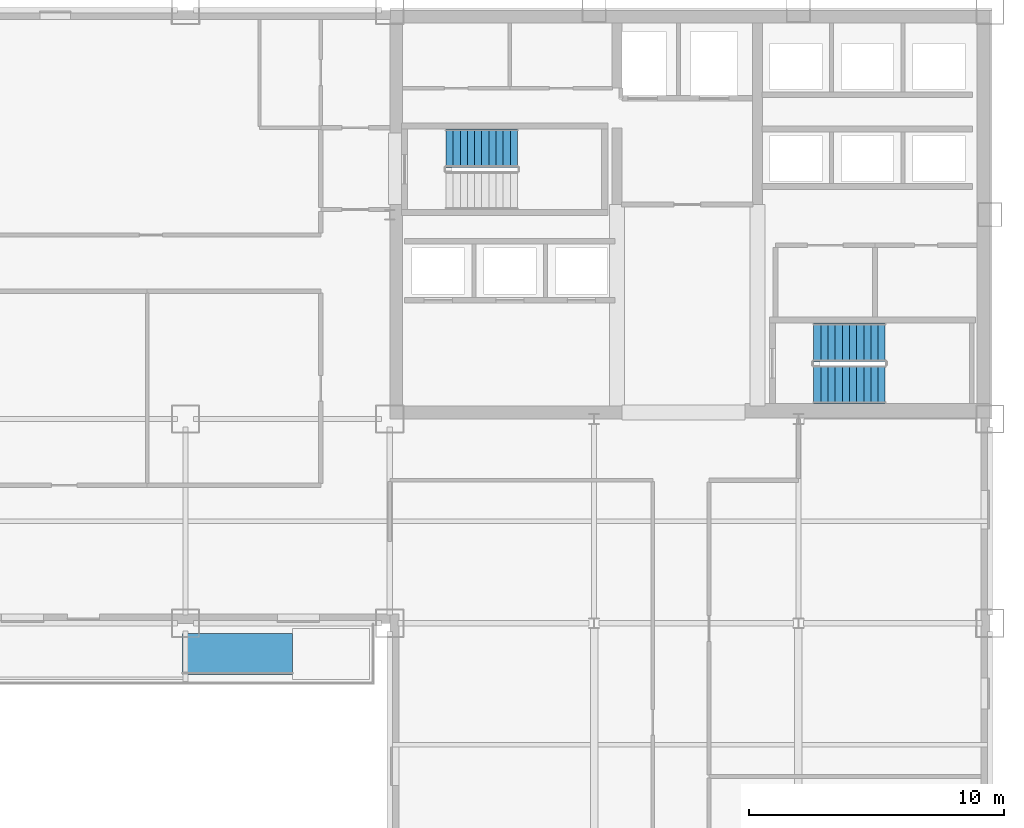
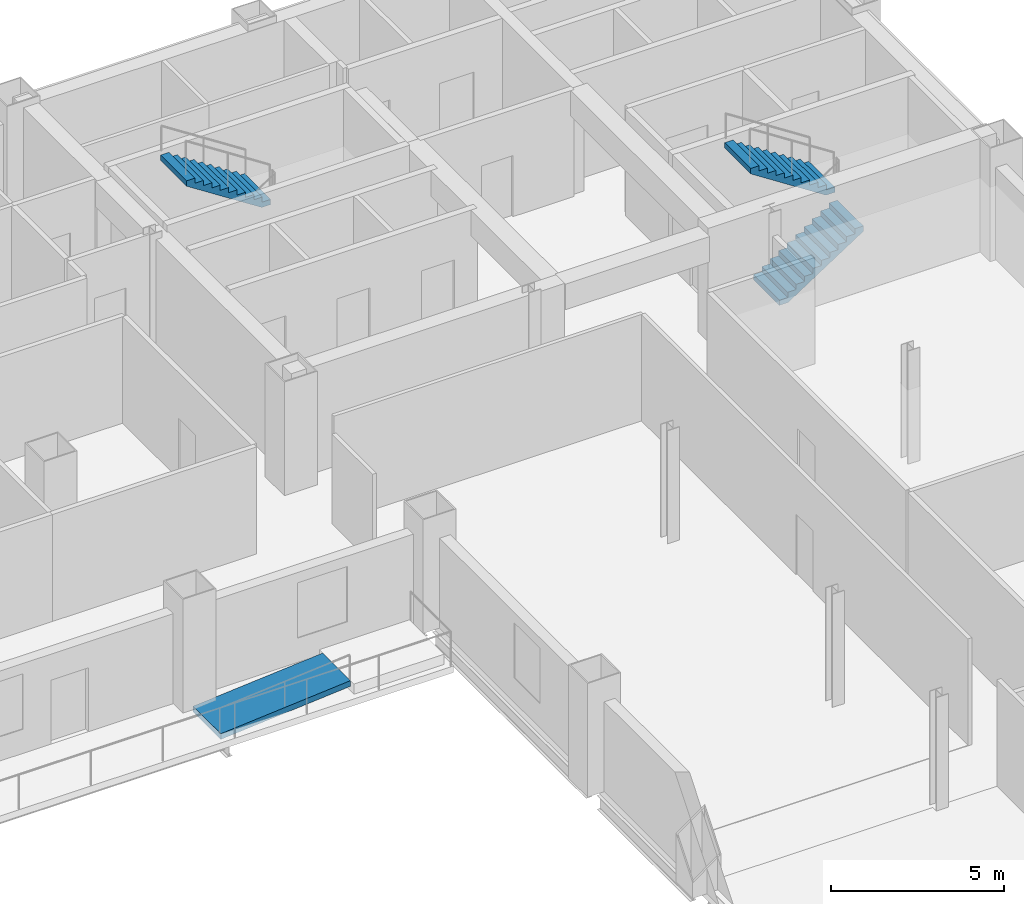
# One storey, part 8 of 10: 3 stair flights, 1 ramp flight, 3 elements without a shape of their own.
"""IFC4 building model written with IfcOpenShell, lengths in metres."""

from ifc_helpers import new_model, si_unit, direction, frame, origin, place, context, subcontext, project, spatial, polyline, outline, extrude, material, layer, layer_set, type_object, element, aggregate, save


model = new_model("IFC4")

# Units and contexts
model_context = context("Model", 3, precision=1e-05, world=origin(), true_north=direction((0.0, 1.0)))
body_context = subcontext(model_context, "Body", "Model", "MODEL_VIEW")
ifc_project = project(units=[si_unit("LENGTHUNIT", "METRE"), si_unit("AREAUNIT", "SQUARE_METRE"), si_unit("VOLUMEUNIT", "CUBIC_METRE"), si_unit("PLANEANGLEUNIT", "RADIAN"), si_unit("MASSUNIT", "GRAM", prefix="KILO")], contexts=[model_context])

# Site, building, storey
site_placement = place(None, origin())
site = spatial("IfcSite", under=ifc_project, at=site_placement, CompositionType="ELEMENT")
building_placement = place(site_placement, origin())
building = spatial("IfcBuilding", under=site, at=building_placement, Name="Qianrong Seaharbour Tower", CompositionType="ELEMENT")
storey_placement = place(building_placement, frame((0.0, 0.0, 151.0)))
storey = spatial("IfcBuildingStorey", under=building, at=storey_placement, Name="L36", CompositionType="ELEMENT", Elevation=151.0)

# Stair, stair flight
ifc_material_1 = material(Name="Concrete C50/60", Category="concrete")
stair_type = type_object("IfcStairType", Name="STAIR-DOGLEG-1500-R22", PredefinedType="HALF_TURN_STAIR", material=ifc_material_1)
stair_1_placement = place(storey_placement, origin())
stair_1 = element("IfcStair", 1, at=stair_1_placement, inside=storey, type_object=stair_type, Name="L36 Protected Escape Stair ST-1", PredefinedType="HALF_TURN_STAIR")
stair_flight_type = type_object("IfcStairFlightType", Name="FLIGHT-STR-1500-R22", PredefinedType="STRAIGHT", material=ifc_material_1)
stair_flight_1_placement = place(storey_placement, frame((45.5, 46.60009765625, 2.0), z_axis=(0.0, 0.0, 1.0), x_axis=(-1.0, 0.0, 0.0)))
stair_flight_1 = element("IfcStairFlight", 2, at=stair_flight_1_placement, type_object=stair_flight_type, Name="ST-1 flight 2", NumberOfRisers=11, NumberOfTreads=10, PredefinedType="STRAIGHT", RiserHeight=0.181818182, TreadLength=0.28, context=body_context, shape_type="SweptSolid", body=[
    extrude(outline(polyline([(0.0, 0.0), (0.0, 0.181884765625), (0.280029296875, 0.181884765625), (0.280029296875, 0.363525390625), (0.56005859375, 0.363525390625), (0.56005859375, 0.54541015625), (0.840087890625, 0.54541015625), (0.840087890625, 0.727294921875), (1.1201171875, 0.727294921875), (1.1201171875, 0.9091796875), (1.39990234375, 0.9091796875), (1.39990234375, 1.0908203125), (1.679931640625, 1.0908203125), (1.679931640625, 1.272705078125), (1.9599609375, 1.272705078125), (1.9599609375, 1.45458984375), (2.239990234375, 1.45458984375), (2.239990234375, 1.636474609375), (2.52001953125, 1.636474609375), (2.52001953125, 1.818115234375), (2.800048828125, 1.818115234375), (2.800048828125, 2.0), (2.800048828125, 1.62744140625), (0.293701171875, 0.0), (0.0, 0.0)])), frame((0.0, 0.75, 0.0), z_axis=(0.0, -1.0, 0.0), x_axis=(1.0, 0.0, 0.0)), (0.0, 0.0, 1.0), 1.5),
])
aggregate(stair_1, [stair_flight_1])

# Stair, stair flights
stair_2_placement = place(storey_placement, origin())
stair_2 = element("IfcStair", 3, at=stair_2_placement, inside=storey, type_object=stair_type, Name="L36 Protected Escape Stair ST-2", PredefinedType="HALF_TURN_STAIR")
stair_flight_2_placement = place(storey_placement, frame((57.10009765625, 37.35009765625, 0.0), z_axis=(0.0, 0.0, 1.0), x_axis=(1.0, 0.0, 0.0)))
stair_flight_2 = element("IfcStairFlight", 4, at=stair_flight_2_placement, type_object=stair_flight_type, Name="ST-2 flight 1", NumberOfRisers=11, NumberOfTreads=10, PredefinedType="STRAIGHT", RiserHeight=0.181818182, TreadLength=0.28, context=body_context, shape_type="SweptSolid", body=[
    extrude(outline(polyline([(0.0, 0.0), (0.0, 0.181884765625), (0.280029296875, 0.181884765625), (0.280029296875, 0.363525390625), (0.56005859375, 0.363525390625), (0.56005859375, 0.54541015625), (0.840087890625, 0.54541015625), (0.840087890625, 0.727294921875), (1.1201171875, 0.727294921875), (1.1201171875, 0.9091796875), (1.39990234375, 0.9091796875), (1.39990234375, 1.0908203125), (1.679931640625, 1.0908203125), (1.679931640625, 1.272705078125), (1.9599609375, 1.272705078125), (1.9599609375, 1.45458984375), (2.239990234375, 1.45458984375), (2.239990234375, 1.636474609375), (2.52001953125, 1.636474609375), (2.52001953125, 1.818115234375), (2.800048828125, 1.818115234375), (2.800048828125, 2.0), (2.800048828125, 1.62744140625), (0.293701171875, 0.0), (0.0, 0.0)])), frame((0.0, 0.75, 0.0), z_axis=(0.0, -1.0, 0.0), x_axis=(1.0, 0.0, 0.0)), (0.0, 0.0, 1.0), 1.5),
])
stair_flight_3_placement = place(storey_placement, frame((59.89990234375, 39.0, 2.0), z_axis=(0.0, 0.0, 1.0), x_axis=(-1.0, 0.0, 0.0)))
stair_flight_3 = element("IfcStairFlight", 5, at=stair_flight_3_placement, type_object=stair_flight_type, Name="ST-2 flight 2", NumberOfRisers=11, NumberOfTreads=10, PredefinedType="STRAIGHT", RiserHeight=0.181818182, TreadLength=0.28, context=body_context, shape_type="SweptSolid", body=[
    extrude(outline(polyline([(0.0, 0.0), (0.0, 0.181884765625), (0.280029296875, 0.181884765625), (0.280029296875, 0.363525390625), (0.56005859375, 0.363525390625), (0.56005859375, 0.54541015625), (0.840087890625, 0.54541015625), (0.840087890625, 0.727294921875), (1.1201171875, 0.727294921875), (1.1201171875, 0.9091796875), (1.39990234375, 0.9091796875), (1.39990234375, 1.0908203125), (1.679931640625, 1.0908203125), (1.679931640625, 1.272705078125), (1.9599609375, 1.272705078125), (1.9599609375, 1.45458984375), (2.239990234375, 1.45458984375), (2.239990234375, 1.636474609375), (2.52001953125, 1.636474609375), (2.52001953125, 1.818115234375), (2.800048828125, 1.818115234375), (2.800048828125, 2.0), (2.800048828125, 1.62744140625), (0.293701171875, 0.0), (0.0, 0.0)])), frame((0.0, 0.75, 0.0), z_axis=(0.0, -1.0, 0.0), x_axis=(1.0, 0.0, 0.0)), (0.0, 0.0, 1.0), 1.5),
])
aggregate(stair_2, [stair_flight_2, stair_flight_3])

# Ramp, ramp flight
ifc_material_2 = material(Name="White architectural precast concrete C45/55", Category="concrete")
ramp_type = type_object("IfcRampType", Name="RAMP-RIBBON-GARDEN", PredefinedType="STRAIGHT_RUN_RAMP", material=ifc_material_2)
ramp_placement = place(storey_placement, origin())
ramp = element("IfcRamp", 6, at=ramp_placement, inside=storey, type_object=ramp_type, Name="L36 Harbourfront Garden Ribbon Ramp", PredefinedType="STRAIGHT_RUN_RAMP")
ifc_layer = layer(ifc_material_2, 0.199951171875)
ifc_layer_set = layer_set([ifc_layer], Name="White architectural precast concrete C45/55")
ramp_flight_type = type_object("IfcRampFlightType", Name="RAMP-FLIGHT-GARDEN-200", PredefinedType="STRAIGHT", material=ifc_layer_set)
ramp_flight_placement = place(storey_placement, frame((32.3798828125, 26.800048828125, 0.0), z_axis=(0.0, 0.0, 1.0), x_axis=(1.0, 0.0, 0.0)))
ramp_flight = element("IfcRampFlight", 7, at=ramp_flight_placement, type_object=ramp_flight_type, Name="L36 Harbourfront Garden Ribbon Ramp Flight", PredefinedType="STRAIGHT", context=body_context, shape_type="SweptSolid", body=[
    extrude(outline(polyline([(0.0, 0.0), (4.320068359375, 0.360107421875), (4.320068359375, 0.16015625), (0.0, -0.199951171875), (0.0, 0.0)])), frame((0.0, 0.800048828125, 0.0), z_axis=(0.0, -1.0, 0.0), x_axis=(1.0, 0.0, 0.0)), (0.0, 0.0, 1.0), 1.60009765625),
])
aggregate(ramp, [ramp_flight])

save(model, "model.ifc")
